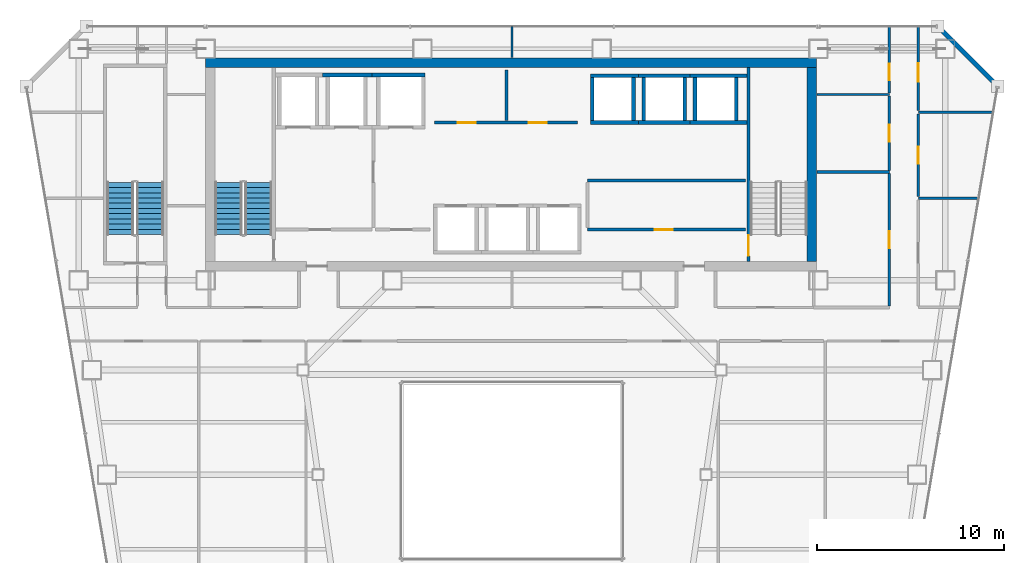
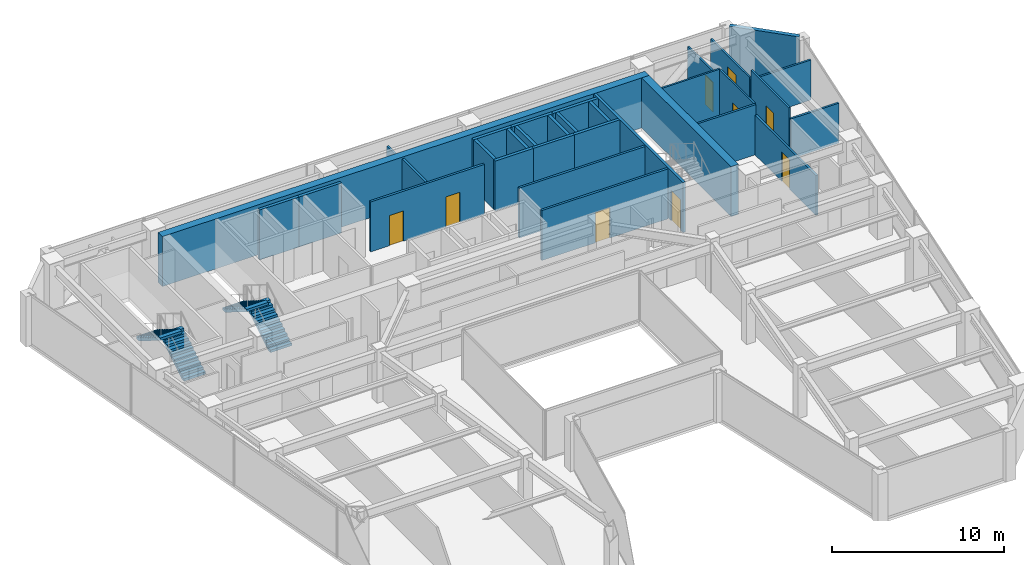
# One storey, part 31 of 35: 32 walls, 9 doors, 4 stair flights, 9 openings, 2 elements without a shape of their own.
"""IFC4 building model written with IfcOpenShell, lengths in metres."""

from ifc_helpers import new_model, si_unit, direction, frame, frame_2d, origin, place, context, subcontext, project, spatial, polyline, rectangle, outline, extrude, material, layer, layer_set, type_object, element, fill, aggregate, save


model = new_model("IFC4")

# Units and contexts
model_context = context("Model", 3, precision=1e-05, world=origin(), true_north=direction((0.0, 1.0)))
body_context = subcontext(model_context, "Body", "Model", "MODEL_VIEW")
ifc_project = project(units=[si_unit("LENGTHUNIT", "METRE"), si_unit("AREAUNIT", "SQUARE_METRE"), si_unit("VOLUMEUNIT", "CUBIC_METRE"), si_unit("PLANEANGLEUNIT", "RADIAN"), si_unit("MASSUNIT", "GRAM", prefix="KILO")], contexts=[model_context])

# Site, building, storey
site_placement = place(None, origin())
site = spatial("IfcSite", under=ifc_project, at=site_placement, CompositionType="ELEMENT")
building_placement = place(site_placement, origin())
building = spatial("IfcBuilding", under=site, at=building_placement, Name="Saevonmaru Cultural Tower", CompositionType="ELEMENT")
storey_placement = place(building_placement, frame((0.0, 0.0, 179.0)))
storey = spatial("IfcBuildingStorey", under=building, at=storey_placement, Name="L40", CompositionType="ELEMENT", Elevation=179.0)

# Walls
ifc_material_1 = material(Name="Concrete C60/75", Category="concrete")
ifc_layer_1 = layer(ifc_material_1, 0.5, Name="Concrete C60/75")
ifc_layer_set_1 = layer_set([ifc_layer_1], Name="Concrete C60/75")
wall_type_1 = type_object("IfcWallType", Name="WL-CORE-500", PredefinedType="SHEAR", material=ifc_layer_set_1)
wall_1_placement = place(storey_placement, frame((13.60009765625, 54.050048828125, 0.0), z_axis=(0.0, 0.0, 1.0), x_axis=(1.0, 0.0, 0.0)))
element("IfcWall", 1, at=wall_1_placement, inside=storey, type_object=wall_type_1, Name="L40 Tower RC core shear wall N", PredefinedType="SHEAR", context=body_context, shape_type="SweptSolid", body=[
    extrude(rectangle(XDim=32.699951171875, YDim=0.5, at=frame_2d((16.35009765625, 0.0))), origin(), (0.0, 0.0, 1.0), 3.550048828125),
])
wall_2_placement = place(storey_placement, frame((46.050048828125, 43.39990234375, 0.0), z_axis=(0.0, 0.0, 1.0), x_axis=(0.0, 1.0, 0.0)))
element("IfcWall", 2, at=wall_2_placement, inside=storey, type_object=wall_type_1, Name="L40 Tower RC core shear wall E", PredefinedType="SHEAR", context=body_context, shape_type="SweptSolid", body=[
    extrude(rectangle(XDim=10.400146484375, YDim=0.5, at=frame_2d((5.2001953125, 0.0))), origin(), (0.0, 0.0, 1.0), 3.550048828125),
])

# Wall, opening, door
ifc_material_2 = material(Name="Gypsum Fireboard Partition", Category="gypsum")
ifc_layer_2 = layer(ifc_material_2, 0.14990234375, Name="Gypsum Fireboard Partition")
ifc_layer_set_2 = layer_set([ifc_layer_2], Name="Gypsum Fireboard Partition")
wall_type_2 = type_object("IfcWallType", Name="WL-CORE-PART-150", PredefinedType="PARTITIONING", material=ifc_layer_set_2)
wall_3_placement = place(storey_placement, frame((34.050048828125, 45.1201171875, 0.0), z_axis=(0.0, 0.0, 1.0), x_axis=(1.0, 0.0, 0.0)))
wall_3 = element("IfcWall", 3, at=wall_3_placement, inside=storey, type_object=wall_type_2, Name="L40 Core Service South Wall", PredefinedType="PARTITIONING", context=body_context, shape_type="SweptSolid", body=[
    extrude(rectangle(XDim=8.449951171875, YDim=0.14990234375, at=frame_2d((4.22509765625, 0.0))), origin(), (0.0, 0.0, 1.0), 3.550048828125),
])
opening_1_placement = place(wall_3_placement, frame((3.60009765625, 0.0, 0.0)))
opening_1 = element("IfcOpeningElement", 4, at=opening_1_placement, cuts=wall_3, Name="Opening FD-4", PredefinedType="OPENING", context=body_context, shape_type="SweptSolid", body=[
    extrude(rectangle(XDim=0.949951171875, YDim=2.14990234375, at=frame_2d((0.47509765625, 1.074951171875))), frame((0.0, 0.0849609375, 0.0), z_axis=(0.0, -1.0, 0.0), x_axis=(1.0, 0.0, 0.0)), (0.0, 0.0, 1.0), 0.169921875),
])
ifc_material_3 = material(Name="Satin Bronze Anodised Aluminium", Category="aluminium")
door_type_1 = type_object("IfcDoorType", Name="DR-FD60-950", OperationType="SINGLE_SWING_LEFT", PredefinedType="DOOR", material=ifc_material_3)
door_1_placement = place(opening_1_placement, origin())
door_1 = element("IfcDoor", 5, at=door_1_placement, inside=storey, type_object=door_type_1, Name="L40 Telecom Riser Plant Door", OperationType="SINGLE_SWING_LEFT", OverallHeight=2.14990234375, OverallWidth=0.949951171875, PredefinedType="DOOR", context=body_context, shape_type="SweptSolid", body=[
    extrude(rectangle(XDim=0.949951171875, YDim=2.14990234375, at=frame_2d((0.47509765625, 1.074951171875))), frame((0.0, 0.02490234375, 0.0), z_axis=(0.0, -1.0, 0.0), x_axis=(1.0, 0.0, 0.0)), (0.0, 0.0, 1.0), 0.050048828125),
])
fill(opening_1, door_1)

# Wall
wall_4_placement = place(storey_placement, frame((34.050048828125, 47.75, 0.0), z_axis=(0.0, 0.0, 1.0), x_axis=(1.0, 0.0, 0.0)))
element("IfcWall", 6, at=wall_4_placement, inside=storey, type_object=wall_type_2, Name="L40 Core Service North Wall", PredefinedType="PARTITIONING", context=body_context, shape_type="SweptSolid", body=[
    extrude(rectangle(XDim=8.449951171875, YDim=0.14990234375, at=frame_2d((4.22509765625, 0.0))), origin(), (0.0, 0.0, 1.0), 3.550048828125),
])

# Wall, openings, doors
wall_5_placement = place(storey_placement, frame((25.85009765625, 50.85009765625, 0.0), z_axis=(0.0, 0.0, 1.0), x_axis=(1.0, 0.0, 0.0)))
wall_5 = element("IfcWall", 7, at=wall_5_placement, inside=storey, type_object=wall_type_2, Name="L40 Reclaimed Core Room South Wall", PredefinedType="PARTITIONING", context=body_context, shape_type="SweptSolid", body=[
    extrude(rectangle(XDim=7.64990234375, YDim=0.14990234375, at=frame_2d((3.824951171875, 0.0))), origin(), (0.0, 0.0, 1.0), 3.550048828125),
])
opening_2_placement = place(wall_5_placement, frame((1.25, 0.0, 0.0)))
opening_2 = element("IfcOpeningElement", 8, at=opening_2_placement, cuts=wall_5, Name="Opening FD-4", PredefinedType="OPENING", context=body_context, shape_type="SweptSolid", body=[
    extrude(rectangle(XDim=0.949951171875, YDim=2.14990234375, at=frame_2d((0.47509765625, 1.074951171875))), frame((0.0, 0.0849609375, 0.0), z_axis=(0.0, -1.0, 0.0), x_axis=(1.0, 0.0, 0.0)), (0.0, 0.0, 1.0), 0.169921875),
])
opening_3_placement = place(wall_5_placement, frame((5.050048828125, 0.0, 0.0)))
opening_3 = element("IfcOpeningElement", 9, at=opening_3_placement, cuts=wall_5, Name="Opening FD-4", PredefinedType="OPENING", context=body_context, shape_type="SweptSolid", body=[
    extrude(rectangle(XDim=0.949951171875, YDim=2.14990234375, at=frame_2d((0.47509765625, 1.074951171875))), frame((0.0, 0.0849609375, 0.0), z_axis=(0.0, -1.0, 0.0), x_axis=(1.0, 0.0, 0.0)), (0.0, 0.0, 1.0), 0.169921875),
])
door_2_placement = place(opening_2_placement, origin())
door_2 = element("IfcDoor", 10, at=door_2_placement, inside=storey, type_object=door_type_1, Name="L40 Reclaimed Archive Vault Door", OperationType="SINGLE_SWING_LEFT", OverallHeight=2.14990234375, OverallWidth=0.949951171875, PredefinedType="DOOR", context=body_context, shape_type="SweptSolid", body=[
    extrude(rectangle(XDim=0.949951171875, YDim=2.14990234375, at=frame_2d((0.47509765625, 1.074951171875))), frame((0.0, 0.02490234375, 0.0), z_axis=(0.0, -1.0, 0.0), x_axis=(1.0, 0.0, 0.0)), (0.0, 0.0, 1.0), 0.050048828125),
])
fill(opening_2, door_2)
door_3_placement = place(opening_3_placement, origin())
door_3 = element("IfcDoor", 11, at=door_3_placement, inside=storey, type_object=door_type_1, Name="L40 Reclaimed Conservation Storage Door", OperationType="SINGLE_SWING_LEFT", OverallHeight=2.14990234375, OverallWidth=0.949951171875, PredefinedType="DOOR", context=body_context, shape_type="SweptSolid", body=[
    extrude(rectangle(XDim=0.949951171875, YDim=2.14990234375, at=frame_2d((0.47509765625, 1.074951171875))), frame((0.0, 0.02490234375, 0.0), z_axis=(0.0, -1.0, 0.0), x_axis=(1.0, 0.0, 0.0)), (0.0, 0.0, 1.0), 0.050048828125),
])
fill(opening_3, door_3)

# Walls
wall_6_placement = place(storey_placement, frame((29.699951171875, 50.949951171875, 0.0), z_axis=(0.0, 0.0, 1.0), x_axis=(0.0, 1.0, 0.0)))
element("IfcWall", 12, at=wall_6_placement, inside=storey, type_object=wall_type_2, Name="L40 Reclaimed Vault Split", PredefinedType="PARTITIONING", context=body_context, shape_type="SweptSolid", body=[
    extrude(rectangle(XDim=2.699951171875, YDim=0.14990234375, at=frame_2d((1.35009765625, 0.0))), origin(), (0.0, 0.0, 1.0), 3.550048828125),
])
ifc_material_4 = material(Name="Granite-Clad Precast Concrete C40/50", Category="masonry")
ifc_layer_3 = layer(ifc_material_4, 0.260009765625, Name="Granite-Clad Precast Concrete C40/50")
ifc_layer_set_3 = layer_set([ifc_layer_3], Name="Granite-Clad Precast Concrete C40/50")
wall_type_3 = type_object("IfcWallType", Name="WL-EXT-SPANDREL-260", PredefinedType="STANDARD", material=ifc_layer_set_3)
wall_7_placement = place(storey_placement, frame((55.886962890625, 52.9130859375, 0.0), z_axis=(0.0, 0.0, 1.0), x_axis=(-0.707106781187, 0.707106781187, 0.0)))
element("IfcWall", 13, at=wall_7_placement, inside=storey, type_object=wall_type_3, Name="L40 Chamfer Corner Spandrel Wall E9", PredefinedType="STANDARD", context=body_context, shape_type="SweptSolid", body=[
    extrude(rectangle(XDim=4.205810546875, YDim=0.260009765625, at=frame_2d((2.10302734375, 0.0))), origin(), (0.0, 0.0, 1.0), 3.550048828125),
])
ifc_layer_4 = layer(ifc_material_2, 0.1201171875, Name="Gypsum Fireboard Partition")
ifc_layer_set_4 = layer_set([ifc_layer_4], Name="Gypsum Fireboard Partition")
wall_type_4 = type_object("IfcWallType", Name="WL-PART-GYP-120", PredefinedType="PARTITIONING", material=ifc_layer_set_4)
wall_8_placement = place(storey_placement, frame((46.320068359375, 52.35009765625, 0.0), z_axis=(0.0, 0.0, 1.0), x_axis=(1.0, 0.0, 0.0)))
element("IfcWall", 14, at=wall_8_placement, inside=storey, type_object=wall_type_4, Name="L40 North-East Panorama South Wall", PredefinedType="PARTITIONING", context=body_context, shape_type="SweptSolid", body=[
    extrude(rectangle(XDim=3.8798828125, YDim=0.1201171875, at=frame_2d((1.93994140625, 0.0))), origin(), (0.0, 0.0, 1.0), 3.550048828125),
])
wall_9_placement = place(storey_placement, frame((30.0, 54.320068359375, 0.0), z_axis=(0.0, 0.0, 1.0), x_axis=(0.0, 1.0, 0.0)))
element("IfcWall", 15, at=wall_9_placement, inside=storey, type_object=wall_type_4, Name="L40 North Panorama Center Split", PredefinedType="PARTITIONING", context=body_context, shape_type="SweptSolid", body=[
    extrude(rectangle(XDim=1.675048828125, YDim=0.1201171875, at=frame_2d((0.83740234375, 0.0))), origin(), (0.0, 0.0, 1.0), 2.93505859375),
])

# Wall, opening, door
wall_10_placement = place(storey_placement, frame((50.199951171875, 48.2900390625, 0.0), z_axis=(0.0, 0.0, 1.0), x_axis=(0.0, 1.0, 0.0)))
wall_10 = element("IfcWall", 16, at=wall_10_placement, inside=storey, type_object=wall_type_4, Name="L40 Curatorial Research Office Corridor Wall", PredefinedType="PARTITIONING", context=body_context, shape_type="SweptSolid", body=[
    extrude(rectangle(XDim=3.97998046875, YDim=0.1201171875, at=frame_2d((1.989990234375, 0.0))), origin(), (0.0, 0.0, 1.0), 3.550048828125),
])
opening_4_placement = place(wall_10_placement, frame((1.5400390625, 0.0, 0.0)))
opening_4 = element("IfcOpeningElement", 17, at=opening_4_placement, cuts=wall_10, Name="Opening ID-2", PredefinedType="OPENING", context=body_context, shape_type="SweptSolid", body=[
    extrude(rectangle(XDim=0.89990234375, YDim=2.10009765625, at=frame_2d((0.449951171875, 1.050048828125))), frame((0.0, 0.070068359375, 0.0), z_axis=(0.0, -1.0, 0.0), x_axis=(1.0, 0.0, 0.0)), (0.0, 0.0, 1.0), 0.14013671875),
])
ifc_material_5 = material(Name="Acoustic Stained Oak Timber", Category="wood")
door_type_2 = type_object("IfcDoorType", Name="DR-INT-900", OperationType="SINGLE_SWING_RIGHT", PredefinedType="DOOR", material=ifc_material_5)
door_4_placement = place(opening_4_placement, origin())
door_4 = element("IfcDoor", 18, at=door_4_placement, inside=storey, type_object=door_type_2, Name="L40 Curatorial Research Office Door", OperationType="SINGLE_SWING_LEFT", OverallHeight=2.10009765625, OverallWidth=0.89990234375, PredefinedType="DOOR", context=body_context, shape_type="SweptSolid", body=[
    extrude(rectangle(XDim=0.89990234375, YDim=2.10009765625, at=frame_2d((0.449951171875, 1.050048828125))), frame((0.0, 0.02490234375, 0.0), z_axis=(0.0, -1.0, 0.0), x_axis=(1.0, 0.0, 0.0)), (0.0, 0.0, 1.0), 0.050048828125),
])
fill(opening_4, door_4)

wall_11_placement = place(storey_placement, frame((50.199951171875, 52.429931640625, 0.0), z_axis=(0.0, 0.0, 1.0), x_axis=(0.0, 1.0, 0.0)))
wall_11 = element("IfcWall", 19, at=wall_11_placement, inside=storey, type_object=wall_type_4, Name="L40 Archival Conservation Office Corridor Wall", PredefinedType="PARTITIONING", context=body_context, shape_type="SweptSolid", body=[
    extrude(rectangle(XDim=3.565185546875, YDim=0.1201171875, at=frame_2d((1.78271484375, 0.0))), origin(), (0.0, 0.0, 1.0), 2.93505859375),
])
opening_5_placement = place(wall_11_placement, frame((0.672119140625, 0.0, 0.0)))
opening_5 = element("IfcOpeningElement", 20, at=opening_5_placement, cuts=wall_11, Name="Opening ID-2", PredefinedType="OPENING", context=body_context, shape_type="SweptSolid", body=[
    extrude(rectangle(XDim=0.89990234375, YDim=2.10009765625, at=frame_2d((0.449951171875, 1.050048828125))), frame((0.0, 0.070068359375, 0.0), z_axis=(0.0, -1.0, 0.0), x_axis=(1.0, 0.0, 0.0)), (0.0, 0.0, 1.0), 0.14013671875),
])
door_5_placement = place(opening_5_placement, origin())
door_5 = element("IfcDoor", 21, at=door_5_placement, inside=storey, type_object=door_type_2, Name="L40 Archival Conservation Office Door", OperationType="SINGLE_SWING_RIGHT", OverallHeight=2.10009765625, OverallWidth=0.89990234375, PredefinedType="DOOR", context=body_context, shape_type="SweptSolid", body=[
    extrude(rectangle(XDim=0.89990234375, YDim=2.10009765625, at=frame_2d((0.449951171875, 1.050048828125))), frame((0.0, 0.02490234375, 0.0), z_axis=(0.0, -1.0, 0.0), x_axis=(1.0, 0.0, 0.0)), (0.0, 0.0, 1.0), 0.050048828125),
])
fill(opening_5, door_5)

wall_12_placement = place(storey_placement, frame((51.75, 46.887451171875, 0.0), z_axis=(0.0, 0.0, 1.0), x_axis=(0.0, 1.0, 0.0)))
wall_12 = element("IfcWall", 22, at=wall_12_placement, inside=storey, type_object=wall_type_4, Name="L40 Design Seminar Classroom Corridor Wall", PredefinedType="PARTITIONING", context=body_context, shape_type="SweptSolid", body=[
    extrude(rectangle(XDim=4.425048828125, YDim=0.1201171875, at=frame_2d((2.21240234375, 0.0))), origin(), (0.0, 0.0, 1.0), 3.550048828125),
])
opening_6_placement = place(wall_12_placement, frame((1.761962890625, 0.0, 0.0)))
opening_6 = element("IfcOpeningElement", 23, at=opening_6_placement, cuts=wall_12, Name="Opening ID-2", PredefinedType="OPENING", context=body_context, shape_type="SweptSolid", body=[
    extrude(rectangle(XDim=0.89990234375, YDim=2.10009765625, at=frame_2d((0.449951171875, 1.050048828125))), frame((0.0, 0.070068359375, 0.0), z_axis=(0.0, -1.0, 0.0), x_axis=(1.0, 0.0, 0.0)), (0.0, 0.0, 1.0), 0.14013671875),
])
door_6_placement = place(opening_6_placement, origin())
door_6 = element("IfcDoor", 24, at=door_6_placement, inside=storey, type_object=door_type_2, Name="L40 Design Seminar Classroom Door", OperationType="SINGLE_SWING_RIGHT", OverallHeight=2.10009765625, OverallWidth=0.89990234375, PredefinedType="DOOR", context=body_context, shape_type="SweptSolid", body=[
    extrude(rectangle(XDim=0.89990234375, YDim=2.10009765625, at=frame_2d((0.449951171875, 1.050048828125))), frame((0.0, 0.02490234375, 0.0), z_axis=(0.0, -1.0, 0.0), x_axis=(1.0, 0.0, 0.0)), (0.0, 0.0, 1.0), 0.050048828125),
])
fill(opening_6, door_6)

wall_13_placement = place(storey_placement, frame((51.75, 51.487548828125, 0.0), z_axis=(0.0, 0.0, 1.0), x_axis=(0.0, 1.0, 0.0)))
wall_13 = element("IfcWall", 25, at=wall_13_placement, inside=storey, type_object=wall_type_4, Name="L40 Museum Espresso Cafe Corridor Wall", PredefinedType="PARTITIONING", context=body_context, shape_type="SweptSolid", body=[
    extrude(rectangle(XDim=4.507568359375, YDim=0.1201171875, at=frame_2d((2.25390625, 0.0))), origin(), (0.0, 0.0, 1.0), 2.93505859375),
])
opening_7_placement = place(wall_13_placement, frame((1.533935546875, 0.0, 0.0)))
opening_7 = element("IfcOpeningElement", 26, at=opening_7_placement, cuts=wall_13, Name="Opening ID-1B", PredefinedType="OPENING", context=body_context, shape_type="SweptSolid", body=[
    extrude(rectangle(XDim=1.0, YDim=2.14990234375, at=frame_2d((0.5, 1.074951171875))), frame((0.0, 0.070068359375, 0.0), z_axis=(0.0, -1.0, 0.0), x_axis=(1.0, 0.0, 0.0)), (0.0, 0.0, 1.0), 0.14013671875),
])
door_type_3 = type_object("IfcDoorType", Name="DR-INT-1000", OperationType="SINGLE_SWING_RIGHT", PredefinedType="DOOR", material=ifc_material_5)
door_7_placement = place(opening_7_placement, origin())
door_7 = element("IfcDoor", 27, at=door_7_placement, inside=storey, type_object=door_type_3, Name="L40 Museum Espresso Cafe Door", OperationType="SINGLE_SWING_LEFT", OverallHeight=2.14990234375, OverallWidth=1.0, PredefinedType="DOOR", context=body_context, shape_type="SweptSolid", body=[
    extrude(rectangle(XDim=1.0, YDim=2.14990234375, at=frame_2d((0.5, 1.074951171875))), frame((0.0, 0.02490234375, 0.0), z_axis=(0.0, -1.0, 0.0), x_axis=(1.0, 0.0, 0.0)), (0.0, 0.0, 1.0), 0.050048828125),
])
fill(opening_7, door_7)

# Walls
ifc_layer_5 = layer(ifc_material_2, 0.135009765625, Name="Gypsum Fireboard Partition")
ifc_layer_set_5 = layer_set([ifc_layer_5], Name="Gypsum Fireboard Partition")
wall_type_5 = type_object("IfcWallType", Name="WL-PART-GYP-135", PredefinedType="PARTITIONING", material=ifc_layer_set_5)
wall_14_placement = place(storey_placement, frame((51.75, 46.800048828125, 0.0), z_axis=(0.0, 0.0, 1.0), x_axis=(1.0, 0.0, 0.0)))
element("IfcWall", 28, at=wall_14_placement, inside=storey, type_object=wall_type_5, Name="L40 NE Studio Divider 1", PredefinedType="PARTITIONING", context=body_context, shape_type="SweptSolid", body=[
    extrude(rectangle(XDim=3.229248046875, YDim=0.135009765625, at=frame_2d((1.61474609375, 0.0))), origin(), (0.0, 0.0, 1.0), 2.8349609375),
])
wall_15_placement = place(storey_placement, frame((51.75, 51.39990234375, 0.0), z_axis=(0.0, 0.0, 1.0), x_axis=(1.0, 0.0, 0.0)))
element("IfcWall", 29, at=wall_15_placement, inside=storey, type_object=wall_type_5, Name="L40 NE Studio Divider 2", PredefinedType="PARTITIONING", context=body_context, shape_type="SweptSolid", body=[
    extrude(rectangle(XDim=4.0078125, YDim=0.135009765625, at=frame_2d((2.00390625, 0.0))), origin(), (0.0, 0.0, 1.0), 2.8349609375),
])
ifc_layer_6 = layer(ifc_material_2, 0.139892578125, Name="Gypsum Fireboard Partition")
ifc_layer_set_6 = layer_set([ifc_layer_6], Name="Gypsum Fireboard Partition")
wall_type_6 = type_object("IfcWallType", Name="WL-PART-WET-140", PredefinedType="PARTITIONING", material=ifc_layer_set_6)
wall_16_placement = place(storey_placement, frame((46.320068359375, 48.199951171875, 0.0), z_axis=(0.0, 0.0, 1.0), x_axis=(1.0, 0.0, 0.0)))
element("IfcWall", 30, at=wall_16_placement, inside=storey, type_object=wall_type_6, Name="L40 Washroom North Wall", PredefinedType="PARTITIONING", context=body_context, shape_type="SweptSolid", body=[
    extrude(rectangle(XDim=3.8798828125, YDim=0.139892578125, at=frame_2d((1.93994140625, 0.0))), origin(), (0.0, 0.0, 1.0), 3.550048828125),
])

# Wall, opening, door
wall_17_placement = place(storey_placement, frame((50.199951171875, 41.0400390625, 0.0), z_axis=(0.0, 0.0, 1.0), x_axis=(0.0, 1.0, 0.0)))
wall_17 = element("IfcWall", 31, at=wall_17_placement, inside=storey, type_object=wall_type_6, Name="L40 Washroom Corridor Wall", PredefinedType="PARTITIONING", context=body_context, shape_type="SweptSolid", body=[
    extrude(rectangle(XDim=7.070068359375, YDim=0.139892578125, at=frame_2d((3.53515625, 0.0))), origin(), (0.0, 0.0, 1.0), 2.8349609375),
])
opening_8_placement = place(wall_17_placement, frame((3.0849609375, 0.0, 0.0)))
opening_8 = element("IfcOpeningElement", 32, at=opening_8_placement, cuts=wall_17, Name="Opening ID-2", PredefinedType="OPENING", context=body_context, shape_type="SweptSolid", body=[
    extrude(rectangle(XDim=0.89990234375, YDim=2.10009765625, at=frame_2d((0.449951171875, 1.050048828125))), frame((0.0, 0.080078125, 0.0), z_axis=(0.0, -1.0, 0.0), x_axis=(1.0, 0.0, 0.0)), (0.0, 0.0, 1.0), 0.159912109375),
])
door_8_placement = place(opening_8_placement, origin())
door_8 = element("IfcDoor", 33, at=door_8_placement, inside=storey, type_object=door_type_2, Name="L40 Public Accessible Washrooms Door", OperationType="SINGLE_SWING_RIGHT", OverallHeight=2.10009765625, OverallWidth=0.89990234375, PredefinedType="DOOR", context=body_context, shape_type="SweptSolid", body=[
    extrude(rectangle(XDim=0.89990234375, YDim=2.10009765625, at=frame_2d((0.449951171875, 1.050048828125))), frame((0.0, 0.02490234375, 0.0), z_axis=(0.0, -1.0, 0.0), x_axis=(1.0, 0.0, 0.0)), (0.0, 0.0, 1.0), 0.050048828125),
])
fill(opening_8, door_8)

# Walls
ifc_material_6 = material(Name="Concrete C40/50", Category="concrete")
ifc_layer_7 = layer(ifc_material_6, 0.199951171875, Name="Concrete C40/50")
ifc_layer_set_7 = layer_set([ifc_layer_7], Name="Concrete C40/50")
wall_type_7 = type_object("IfcWallType", Name="WL-SHAFT-200", PredefinedType="SHEAR", material=ifc_layer_set_7)
wall_18_placement = place(storey_placement, frame((19.85009765625, 53.39990234375, 0.0), z_axis=(0.0, 0.0, 1.0), x_axis=(1.0, 0.0, 0.0)))
element("IfcWall", 34, at=wall_18_placement, inside=storey, type_object=wall_type_7, Name="L40 Lift FFL-2 Hoistway Wall N", PredefinedType="SHEAR", context=body_context, shape_type="SweptSolid", body=[
    extrude(rectangle(XDim=2.64990234375, YDim=0.199951171875, at=frame_2d((1.324951171875, 0.0))), origin(), (0.0, 0.0, 1.0), 3.550048828125),
])
wall_19_placement = place(storey_placement, frame((22.5, 53.39990234375, 0.0), z_axis=(0.0, 0.0, 1.0), x_axis=(1.0, 0.0, 0.0)))
element("IfcWall", 35, at=wall_19_placement, inside=storey, type_object=wall_type_7, Name="L40 Lift GL-1 Hoistway Wall N", PredefinedType="SHEAR", context=body_context, shape_type="SweptSolid", body=[
    extrude(rectangle(XDim=2.85009765625, YDim=0.199951171875, at=frame_2d((1.425048828125, 0.0))), origin(), (0.0, 0.0, 1.0), 3.550048828125),
])
for number, where, z_axis, x_axis, name in (
    (36, (34.199951171875, 50.85009765625, 0.0), (0.0, 0.0, 1.0), (1.0, 0.0, 0.0), "L40 Lift PL-H1 Hoistway Wall S"),
    (37, (34.199951171875, 53.35009765625, 0.0), (0.0, 0.0, 1.0), (1.0, 0.0, 0.0), "L40 Lift PL-H1 Hoistway Wall N"),
):
    element("IfcWall", number, at=place(storey_placement, frame(where, z_axis=z_axis, x_axis=x_axis)), inside=storey, type_object=wall_type_7, Name=name, PredefinedType="SHEAR", context=body_context, shape_type="SweptSolid", body=[
        extrude(rectangle(XDim=2.574951171875, YDim=0.199951171875, at=frame_2d((1.28759765625, 0.0))), origin(), (0.0, 0.0, 1.0), 3.550048828125),
    ])
for number, where, z_axis, x_axis, name in (
    (38, (34.300048828125, 50.949951171875, 0.0), (0.0, 0.0, 1.0), (0.0, 1.0, 0.0), "L40 Lift PL-H1 Hoistway Wall W"),
    (39, (36.5, 50.949951171875, 0.0), (0.0, 0.0, 1.0), (0.0, 1.0, 0.0), "L40 Lift PL-H1 Hoistway Wall E"),
):
    element("IfcWall", number, at=place(storey_placement, frame(where, z_axis=z_axis, x_axis=x_axis)), inside=storey, type_object=wall_type_7, Name=name, PredefinedType="SHEAR", context=body_context, shape_type="SweptSolid", body=[
        extrude(rectangle(XDim=2.300048828125, YDim=0.199951171875, at=frame_2d((1.14990234375, 0.0))), origin(), (0.0, 0.0, 1.0), 3.550048828125),
    ])
for number, where, z_axis, x_axis, name in (
    (40, (36.77490234375, 50.85009765625, 0.0), (0.0, 0.0, 1.0), (1.0, 0.0, 0.0), "L40 Lift PL-H2 Hoistway Wall S"),
    (41, (36.77490234375, 53.35009765625, 0.0), (0.0, 0.0, 1.0), (1.0, 0.0, 0.0), "L40 Lift PL-H2 Hoistway Wall N"),
):
    element("IfcWall", number, at=place(storey_placement, frame(where, z_axis=z_axis, x_axis=x_axis)), inside=storey, type_object=wall_type_7, Name=name, PredefinedType="SHEAR", context=body_context, shape_type="SweptSolid", body=[
        extrude(rectangle(XDim=2.75, YDim=0.199951171875, at=frame_2d((1.375, 0.0))), origin(), (0.0, 0.0, 1.0), 3.550048828125),
    ])
for number, where, z_axis, x_axis, name in (
    (42, (37.050048828125, 50.949951171875, 0.0), (0.0, 0.0, 1.0), (0.0, 1.0, 0.0), "L40 Lift PL-H2 Hoistway Wall W"),
    (43, (39.25, 50.949951171875, 0.0), (0.0, 0.0, 1.0), (0.0, 1.0, 0.0), "L40 Lift PL-H2 Hoistway Wall E"),
):
    element("IfcWall", number, at=place(storey_placement, frame(where, z_axis=z_axis, x_axis=x_axis)), inside=storey, type_object=wall_type_7, Name=name, PredefinedType="SHEAR", context=body_context, shape_type="SweptSolid", body=[
        extrude(rectangle(XDim=2.300048828125, YDim=0.199951171875, at=frame_2d((1.14990234375, 0.0))), origin(), (0.0, 0.0, 1.0), 3.550048828125),
    ])
for number, where, z_axis, x_axis, name in (
    (44, (39.52490234375, 50.85009765625, 0.0), (0.0, 0.0, 1.0), (1.0, 0.0, 0.0), "L40 Lift PL-H3 Hoistway Wall S"),
    (45, (39.52490234375, 53.35009765625, 0.0), (0.0, 0.0, 1.0), (1.0, 0.0, 0.0), "L40 Lift PL-H3 Hoistway Wall N"),
):
    element("IfcWall", number, at=place(storey_placement, frame(where, z_axis=z_axis, x_axis=x_axis)), inside=storey, type_object=wall_type_7, Name=name, PredefinedType="SHEAR", context=body_context, shape_type="SweptSolid", body=[
        extrude(rectangle(XDim=3.045166015625, YDim=0.199951171875, at=frame_2d((1.5224609375, 0.0))), origin(), (0.0, 0.0, 1.0), 3.550048828125),
    ])
for number, where, z_axis, x_axis, name in (
    (46, (39.800048828125, 50.949951171875, 0.0), (0.0, 0.0, 1.0), (0.0, 1.0, 0.0), "L40 Lift PL-H3 Hoistway Wall W"),
    (47, (42.0, 50.949951171875, 0.0), (0.0, 0.0, 1.0), (0.0, 1.0, 0.0), "L40 Lift PL-H3 Hoistway Wall E"),
):
    element("IfcWall", number, at=place(storey_placement, frame(where, z_axis=z_axis, x_axis=x_axis)), inside=storey, type_object=wall_type_7, Name=name, PredefinedType="SHEAR", context=body_context, shape_type="SweptSolid", body=[
        extrude(rectangle(XDim=2.300048828125, YDim=0.199951171875, at=frame_2d((1.14990234375, 0.0))), origin(), (0.0, 0.0, 1.0), 3.550048828125),
    ])

# Wall, opening, door
ifc_layer_8 = layer(ifc_material_6, 0.179931640625, Name="Concrete C40/50")
ifc_layer_set_8 = layer_set([ifc_layer_8], Name="Concrete C40/50")
wall_type_8 = type_object("IfcWallType", Name="WL-STSHAFT-180", PredefinedType="SHEAR", material=ifc_layer_set_8)
wall_20_placement = place(storey_placement, frame((42.659912109375, 53.800048828125, 0.0), z_axis=(0.0, 0.0, 1.0), x_axis=(0.0, -1.0, 0.0)))
wall_20 = element("IfcWall", 48, at=wall_20_placement, inside=storey, type_object=wall_type_8, Name="L40 Stair ST-2 Structural Shaft Wall 1", PredefinedType="SHEAR", context=body_context, shape_type="SweptSolid", body=[
    extrude(rectangle(XDim=10.400146484375, YDim=0.179931640625, at=frame_2d((5.2001953125, 0.0))), origin(), (0.0, 0.0, 1.0), 3.550048828125),
])
opening_9_placement = place(wall_20_placement, frame((8.989990234375, 0.0, 0.0)))
opening_9 = element("IfcOpeningElement", 49, at=opening_9_placement, cuts=wall_20, Name="Opening FD-2", PredefinedType="OPENING", context=body_context, shape_type="SweptSolid", body=[
    extrude(rectangle(XDim=1.10009765625, YDim=2.14990234375, at=frame_2d((0.550048828125, 1.074951171875))), frame((0.0, 0.10009765625, 0.0), z_axis=(0.0, -1.0, 0.0), x_axis=(1.0, 0.0, 0.0)), (0.0, 0.0, 1.0), 0.199951171875),
])
door_type_4 = type_object("IfcDoorType", Name="DR-FD60-1100", OperationType="SINGLE_SWING_LEFT", PredefinedType="DOOR", material=ifc_material_3)
door_9_placement = place(opening_9_placement, origin())
door_9 = element("IfcDoor", 50, at=door_9_placement, inside=storey, type_object=door_type_4, Name="L40 Protected Stair ST-2 Fire Door", OperationType="SINGLE_SWING_LEFT", OverallHeight=2.14990234375, OverallWidth=1.10009765625, PredefinedType="DOOR", context=body_context, shape_type="SweptSolid", body=[
    extrude(rectangle(XDim=1.10009765625, YDim=2.14990234375, at=frame_2d((0.550048828125, 1.074951171875))), frame((0.0, 0.02490234375, 0.0), z_axis=(0.0, -1.0, 0.0), x_axis=(1.0, 0.0, 0.0)), (0.0, 0.0, 1.0), 0.050048828125),
])
fill(opening_9, door_9)

# Stair, stair flights
stair_type = type_object("IfcStairType", Name="STR-DOGLEG-RC", PredefinedType="HALF_TURN_STAIR", material=ifc_material_6)
stair_1_placement = place(storey_placement, origin())
stair_1 = element("IfcStair", 51, at=stair_1_placement, inside=storey, type_object=stair_type, Name="L40 Protected exit stair ST-1", PredefinedType="HALF_TURN_STAIR")
ifc_material_7 = material(Name="Precast concrete C40/50", Category="concrete")
stair_flight_type = type_object("IfcStairFlightType", Name="STF-PRECAST-180", PredefinedType="STRAIGHT", material=ifc_material_7)
stair_flight_1_placement = place(storey_placement, frame((16.425048828125, 44.85009765625, 0.0), z_axis=(0.0, 0.0, 1.0), x_axis=(0.0, 1.0, 0.0)))
stair_flight_1 = element("IfcStairFlight", 52, at=stair_flight_1_placement, type_object=stair_flight_type, Name="ST-1-L40 flight 1", NumberOfRisers=11, NumberOfTreads=10, PredefinedType="STRAIGHT", RiserHeight=0.172727273, TreadLength=0.28, context=body_context, shape_type="SweptSolid", body=[
    extrude(outline(polyline([(0.0, 0.0), (0.0, 0.172607421875), (0.280029296875, 0.172607421875), (0.280029296875, 0.345458984375), (0.56005859375, 0.345458984375), (0.56005859375, 0.51806640625), (0.840087890625, 0.51806640625), (0.840087890625, 0.69091796875), (1.1201171875, 0.69091796875), (1.1201171875, 0.863525390625), (1.39990234375, 0.863525390625), (1.39990234375, 1.036376953125), (1.679931640625, 1.036376953125), (1.679931640625, 1.208984375), (1.9599609375, 1.208984375), (1.9599609375, 1.3818359375), (2.239990234375, 1.3818359375), (2.239990234375, 1.554443359375), (2.52001953125, 1.554443359375), (2.52001953125, 1.727294921875), (2.800048828125, 1.727294921875), (2.800048828125, 1.89990234375), (2.800048828125, 1.551025390625), (0.285400390625, 0.0), (0.0, 0.0)])), frame((0.0, 0.72509765625, 0.0), z_axis=(0.0, -1.0, 0.0), x_axis=(1.0, 0.0, 0.0)), (0.0, 0.0, 1.0), 1.449951171875),
])
stair_flight_2_placement = place(storey_placement, frame((14.824951171875, 47.64990234375, 1.89990234375), z_axis=(0.0, 0.0, 1.0), x_axis=(0.0, -1.0, 0.0)))
stair_flight_2 = element("IfcStairFlight", 53, at=stair_flight_2_placement, type_object=stair_flight_type, Name="ST-1-L40 flight 2", NumberOfRisers=11, NumberOfTreads=10, PredefinedType="STRAIGHT", RiserHeight=0.172727273, TreadLength=0.28, context=body_context, shape_type="SweptSolid", body=[
    extrude(outline(polyline([(0.0, 0.0), (0.0, 0.172607421875), (0.280029296875, 0.172607421875), (0.280029296875, 0.345458984375), (0.56005859375, 0.345458984375), (0.56005859375, 0.51806640625), (0.840087890625, 0.51806640625), (0.840087890625, 0.69091796875), (1.1201171875, 0.69091796875), (1.1201171875, 0.863525390625), (1.39990234375, 0.863525390625), (1.39990234375, 1.036376953125), (1.679931640625, 1.036376953125), (1.679931640625, 1.208984375), (1.9599609375, 1.208984375), (1.9599609375, 1.3818359375), (2.239990234375, 1.3818359375), (2.239990234375, 1.554443359375), (2.52001953125, 1.554443359375), (2.52001953125, 1.727294921875), (2.800048828125, 1.727294921875), (2.800048828125, 1.89990234375), (2.800048828125, 1.551025390625), (0.285400390625, 0.0), (0.0, 0.0)])), frame((0.0, 0.72509765625, 0.0), z_axis=(0.0, -1.0, 0.0), x_axis=(1.0, 0.0, 0.0)), (0.0, 0.0, 1.0), 1.449951171875),
])
aggregate(stair_1, [stair_flight_1, stair_flight_2])

stair_2_placement = place(storey_placement, origin())
stair_2 = element("IfcStair", 54, at=stair_2_placement, inside=storey, type_object=stair_type, Name="L40 Protected exit stair ST-3", PredefinedType="HALF_TURN_STAIR")
stair_flight_3_placement = place(storey_placement, frame((10.625, 44.85009765625, 0.0), z_axis=(0.0, 0.0, 1.0), x_axis=(0.0, 1.0, 0.0)))
stair_flight_3 = element("IfcStairFlight", 55, at=stair_flight_3_placement, type_object=stair_flight_type, Name="ST-3-L40 flight 1", NumberOfRisers=11, NumberOfTreads=10, PredefinedType="STRAIGHT", RiserHeight=0.172727273, TreadLength=0.28, context=body_context, shape_type="SweptSolid", body=[
    extrude(outline(polyline([(0.0, 0.0), (0.0, 0.172607421875), (0.280029296875, 0.172607421875), (0.280029296875, 0.345458984375), (0.56005859375, 0.345458984375), (0.56005859375, 0.51806640625), (0.840087890625, 0.51806640625), (0.840087890625, 0.69091796875), (1.1201171875, 0.69091796875), (1.1201171875, 0.863525390625), (1.39990234375, 0.863525390625), (1.39990234375, 1.036376953125), (1.679931640625, 1.036376953125), (1.679931640625, 1.208984375), (1.9599609375, 1.208984375), (1.9599609375, 1.3818359375), (2.239990234375, 1.3818359375), (2.239990234375, 1.554443359375), (2.52001953125, 1.554443359375), (2.52001953125, 1.727294921875), (2.800048828125, 1.727294921875), (2.800048828125, 1.89990234375), (2.800048828125, 1.551025390625), (0.285400390625, 0.0), (0.0, 0.0)])), frame((0.0, 0.72509765625, 0.0), z_axis=(0.0, -1.0, 0.0), x_axis=(1.0, 0.0, 0.0)), (0.0, 0.0, 1.0), 1.449951171875),
])
stair_flight_4_placement = place(storey_placement, frame((9.02490234375, 47.64990234375, 1.89990234375), z_axis=(0.0, 0.0, 1.0), x_axis=(0.0, -1.0, 0.0)))
stair_flight_4 = element("IfcStairFlight", 56, at=stair_flight_4_placement, type_object=stair_flight_type, Name="ST-3-L40 flight 2", NumberOfRisers=11, NumberOfTreads=10, PredefinedType="STRAIGHT", RiserHeight=0.172727273, TreadLength=0.28, context=body_context, shape_type="SweptSolid", body=[
    extrude(outline(polyline([(0.0, 0.0), (0.0, 0.172607421875), (0.280029296875, 0.172607421875), (0.280029296875, 0.345458984375), (0.56005859375, 0.345458984375), (0.56005859375, 0.51806640625), (0.840087890625, 0.51806640625), (0.840087890625, 0.69091796875), (1.1201171875, 0.69091796875), (1.1201171875, 0.863525390625), (1.39990234375, 0.863525390625), (1.39990234375, 1.036376953125), (1.679931640625, 1.036376953125), (1.679931640625, 1.208984375), (1.9599609375, 1.208984375), (1.9599609375, 1.3818359375), (2.239990234375, 1.3818359375), (2.239990234375, 1.554443359375), (2.52001953125, 1.554443359375), (2.52001953125, 1.727294921875), (2.800048828125, 1.727294921875), (2.800048828125, 1.89990234375), (2.800048828125, 1.551025390625), (0.285400390625, 0.0), (0.0, 0.0)])), frame((0.0, 0.72509765625, 0.0), z_axis=(0.0, -1.0, 0.0), x_axis=(1.0, 0.0, 0.0)), (0.0, 0.0, 1.0), 1.449951171875),
])
aggregate(stair_2, [stair_flight_3, stair_flight_4])

save(model, "model.ifc")
